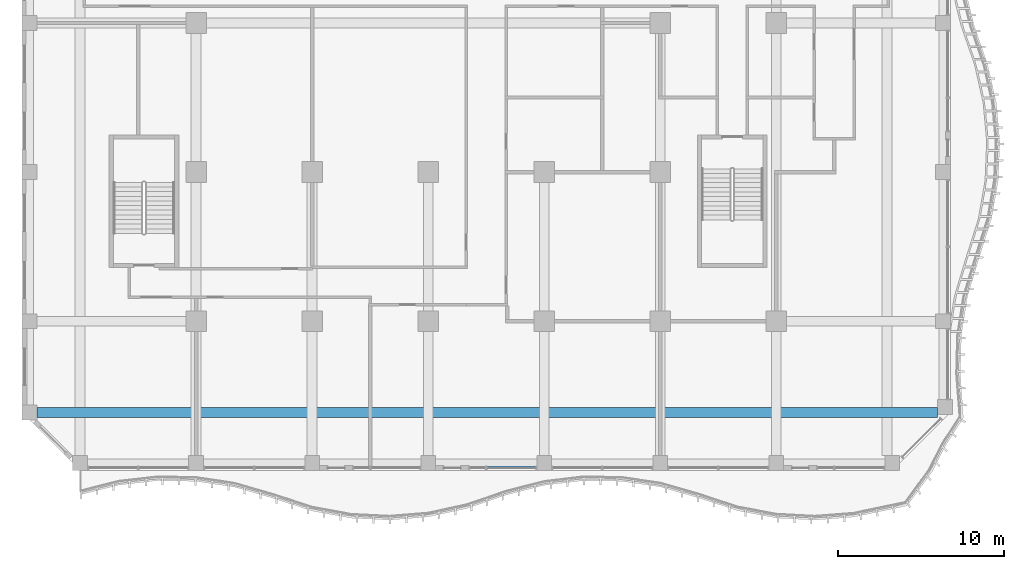
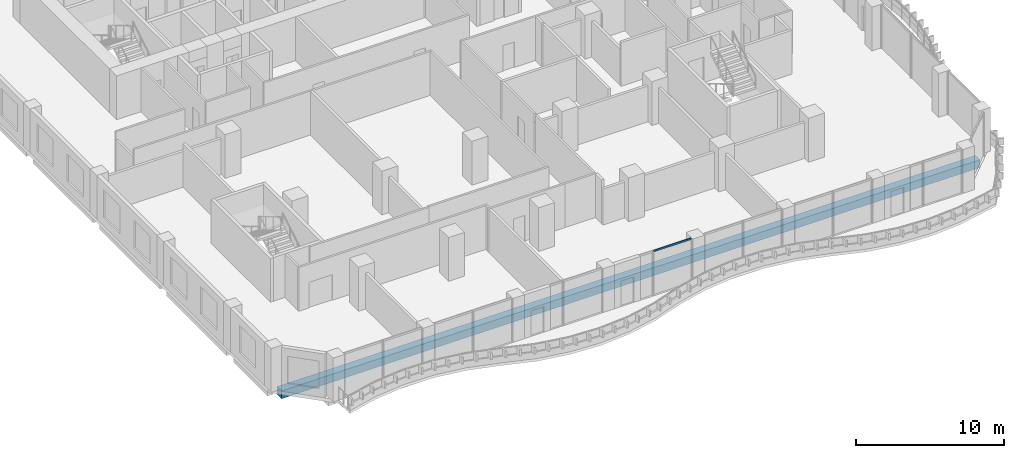
# One storey, part 3 of 21: 1 beam, 1 member, 1 element without a shape of its own.
"""IFC4 building model written with IfcOpenShell, lengths in metres."""

from ifc_helpers import new_model, si_unit, direction, frame, origin, origin_2d, place, context, subcontext, project, spatial, rectangle, extrude, source, transform, mapped, material, material_profile, profile_set, type_object, element, aggregate, save


model = new_model("IFC4")

# Units and contexts
model_context = context("Model", 3, precision=1e-05, world=origin(), true_north=direction((0.0, 1.0)))
body_context = subcontext(model_context, "Body", "Model", "MODEL_VIEW")
ifc_project = project(units=[si_unit("LENGTHUNIT", "METRE"), si_unit("AREAUNIT", "SQUARE_METRE"), si_unit("VOLUMEUNIT", "CUBIC_METRE"), si_unit("PLANEANGLEUNIT", "RADIAN"), si_unit("MASSUNIT", "GRAM", prefix="KILO")], contexts=[model_context])

# Site, building, storey
site_placement = place(None, origin())
site = spatial("IfcSite", under=ifc_project, at=site_placement, CompositionType="ELEMENT")
building_placement = place(site_placement, origin())
building = spatial("IfcBuilding", under=site, at=building_placement, Name="Kilnfold Tower and Market Hall", CompositionType="ELEMENT")
storey_placement = place(building_placement, frame((0.0, 0.0, 91.199951171875)))
storey = spatial("IfcBuildingStorey", under=building, at=storey_placement, Name="L21", CompositionType="ELEMENT", Elevation=91.199951171875)

# Beam
ifc_material_1 = material(Name="Concrete C45", Category="concrete")
ifc_material_profile_1 = material_profile(ifc_material_1, rectangle(XDim=0.60009765625, YDim=0.64990234375, at=origin_2d()), Name="RC 600x650")
ifc_profile_set_1 = profile_set([ifc_material_profile_1], Name="Concrete C45")
beam_type = type_object("IfcBeamType", Name="BEAM 600X650 C45", PredefinedType="BEAM", material=ifc_profile_set_1)
shared_shape_1 = source(origin(), body_context, "Body", "SweptSolid", [
    extrude(rectangle(XDim=0.60009765625, YDim=0.64990234375, at=origin_2d()), origin(), (0.0, 0.0, 1.0), 54.331787109375),
])
beam_placement = place(storey_placement, frame((-22.10009765625, -24.5, -0.60498046875), z_axis=(1.0, 0.0, 0.0), x_axis=(0.0, 1.0, 0.0)))
element("IfcBeam", 1, at=beam_placement, inside=storey, type_object=beam_type, Name="Beam BB650-B2.67", PredefinedType="BEAM", context=body_context, shape_type="MappedRepresentation", body=[
    mapped(shared_shape_1, transform((0.0, 0.0, 0.0))),
])

# Curtain wall, member
ifc_material_2 = material(Name="Aluminium and double glazing", Category="aluminium")
curtain_wall_type = type_object("IfcCurtainWallType", Name="CW OF1 VALLEY GLAZING", PredefinedType="NOTDEFINED", material=ifc_material_2)
curtain_wall_placement = place(storey_placement, origin())
curtain_wall = element("IfcCurtainWall", 2, at=curtain_wall_placement, inside=storey, type_object=curtain_wall_type, Name="Curtain wall CW1 L21 S", PredefinedType="NOTDEFINED")
ifc_material_3 = material(Name="Aluminium", Category="aluminium")
ifc_material_profile_2 = material_profile(ifc_material_3, rectangle(XDim=0.06005859375, YDim=0.139892578125, at=origin_2d()), Name="TRANSOM 60x140")
ifc_profile_set_2 = profile_set([ifc_material_profile_2], Name="Aluminium")
member_type = type_object("IfcMemberType", Name="TRANSOM 60X140", PredefinedType="USERDEFINED", material=ifc_profile_set_2)
shared_shape_2 = source(origin(), body_context, "Body", "SweptSolid", [
    extrude(rectangle(XDim=0.06005859375, YDim=0.139892578125, at=origin_2d()), origin(), (0.0, 0.0, 1.0), 2.929931640625),
])
member_placement = place(storey_placement, frame((5.06005859375, -27.85009765625, 3.570068359375), z_axis=(1.0, 0.0, 0.0), x_axis=(0.0, 1.0, 0.0)))
member = element("IfcMember", 3, at=member_placement, type_object=member_type, Name="CW1 transom 1.2", ObjectType="TRANSOM", PredefinedType="USERDEFINED", context=body_context, shape_type="MappedRepresentation", body=[
    mapped(shared_shape_2, transform((0.0, 0.0, 0.0))),
])
aggregate(curtain_wall, [member])

save(model, "model.ifc")
